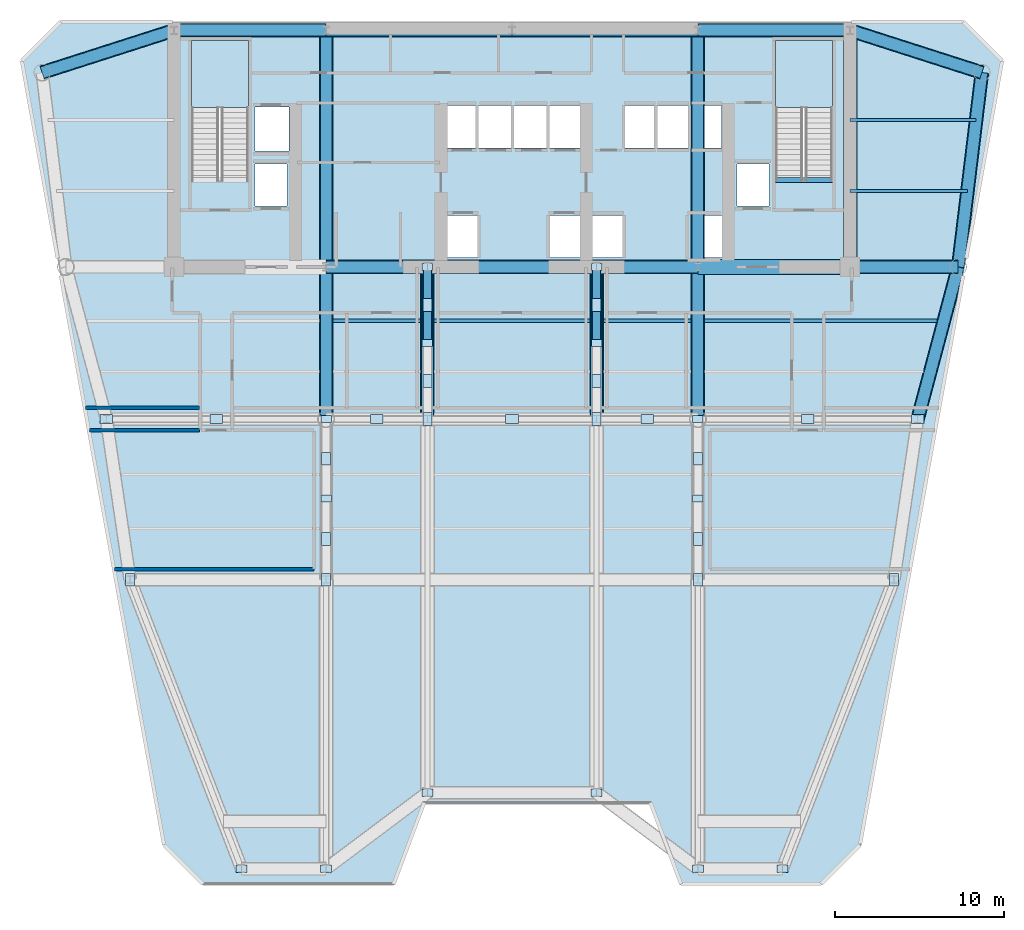
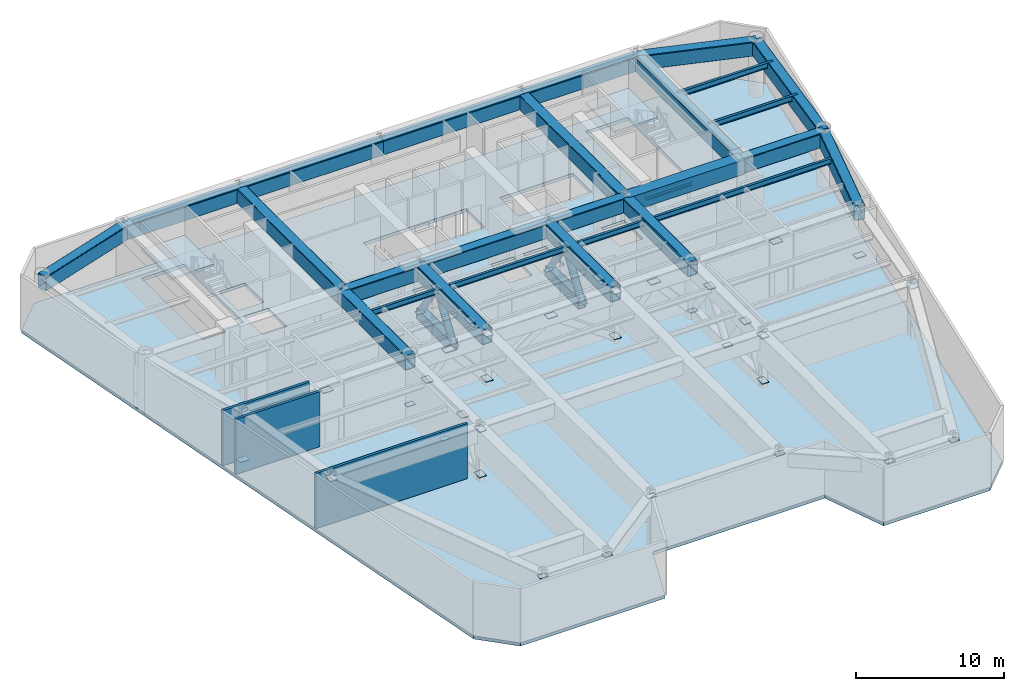
# One storey, part 3 of 10: 39 plates, 27 beams, 6 members, 3 slabs, 3 walls, 2 elements without a shape of their own.
"""IFC4 building model written with IfcOpenShell, lengths in metres."""

import ifcopenshell
import ifcopenshell.guid

model = None  # the IFC model being written
_history = None  # IfcOwnerHistory: only IFC2X3 demands one
_inside = {}  # id of a spatial element -> (the spatial element, [elements in it])
_under = {}  # id of a project, library or spatial element -> (it, [spatial elements below it])
_declared = {}  # id of a project -> (the project, [libraries it declares])
_typed = {}  # id of a type object -> (the type object, [elements of that type])
_made_of = {}  # id of a material, layer set ... -> (it, [elements and type objects made of it])


def new_model(schema):
    """Start an empty IFC model of exactly this schema.

    Asked for "IFC4X3", IfcOpenShell would pick the latest addendum, in which some entities
    have other attributes; the version numbers below select the first issue.
    IFC2X3 requires an IfcOwnerHistory on every rooted entity: one is made here for all.
    """
    global model, _history
    if schema == "IFC4X3":
        model = ifcopenshell.file(schema_version=(4, 3, 0, 0))
    else:
        model = ifcopenshell.file(schema=schema)
    _inside.clear()
    _under.clear()
    _declared.clear()
    _typed.clear()
    _made_of.clear()
    _history = None
    if model.schema == "IFC2X3":
        org = make("IfcOrganization", Name="unknown")
        user = make(
            "IfcPersonAndOrganization",
            ThePerson=make("IfcPerson", FamilyName="unknown"),
            TheOrganization=org,
        )
        app = make(
            "IfcApplication",
            ApplicationDeveloper=org,
            Version="unknown",
            ApplicationFullName="unknown",
            ApplicationIdentifier="unknown",
        )
        _history = make(
            "IfcOwnerHistory",
            OwningUser=user,
            OwningApplication=app,
            ChangeAction="ADDED",
            CreationDate=0,
        )
    return model


def make(cls, **values):
    """One entity of the class cls with the attributes given. An attribute that is None is left unset."""
    return model.create_entity(
        cls, **{name: value for name, value in values.items() if value is not None}
    )


def rooted(cls, **values):
    """An entity with a GlobalId (a new one), such as an element, a storey or a relation."""
    return make(cls, GlobalId=ifcopenshell.guid.new(), OwnerHistory=_history, **values)


def si_unit(unit_type, name, prefix=None):
    """IfcSIUnit, for example si_unit("LENGTHUNIT", "METRE", prefix="MILLI")."""
    return make("IfcSIUnit", UnitType=unit_type, Prefix=prefix, Name=name)


def assignment(units):
    """IfcUnitAssignment: the units of a project."""
    return None if units is None else make("IfcUnitAssignment", Units=units)


def point(xyz):
    """IfcCartesianPoint."""
    return None if xyz is None else make("IfcCartesianPoint", Coordinates=xyz)


def direction(xyz):
    """IfcDirection."""
    return None if xyz is None else make("IfcDirection", DirectionRatios=xyz)


def frame(location, z_axis=None, x_axis=None):
    """IfcAxis2Placement3D, a coordinate frame: its origin and axes. An axis left out is left unset."""
    return make(
        "IfcAxis2Placement3D",
        Location=point(location),
        Axis=direction(z_axis),
        RefDirection=direction(x_axis),
    )


def frame_2d(location, x_axis=None):
    """IfcAxis2Placement2D, a coordinate frame in the plane: its origin and x axis."""
    return make(
        "IfcAxis2Placement2D", Location=point(location), RefDirection=direction(x_axis)
    )


def origin():
    """The frame at (0, 0, 0) with its axes left unset."""
    return frame((0.0, 0.0, 0.0))


def origin_2d():
    """The frame at (0, 0) in the plane with its x axis left unset."""
    return frame_2d((0.0, 0.0))


def place(relative_to, where):
    """IfcLocalPlacement: puts the frame where relative to a parent placement (None: the world)."""
    return make(
        "IfcLocalPlacement", PlacementRelTo=relative_to, RelativePlacement=where
    )


def context(
    kind, dimensions, precision=None, world=None, true_north=None, identifier=None
):
    """IfcGeometricRepresentationContext, for example the 3D "Model" context."""
    return make(
        "IfcGeometricRepresentationContext",
        ContextIdentifier=identifier,
        ContextType=kind,
        CoordinateSpaceDimension=dimensions,
        Precision=precision,
        WorldCoordinateSystem=world,
        TrueNorth=true_north,
    )


def subcontext(parent, identifier, kind, view, scale=None):
    """IfcGeometricRepresentationSubContext, for example "Body" below "Model"."""
    return make(
        "IfcGeometricRepresentationSubContext",
        ContextIdentifier=identifier,
        ContextType=kind,
        ParentContext=parent,
        TargetScale=scale,
        TargetView=view,
    )


def project(units=None, contexts=None):
    """IfcProject with its units and contexts."""
    return rooted(
        "IfcProject",
        Name="project",
        RepresentationContexts=contexts,
        UnitsInContext=assignment(units),
    )


def spatial(cls, under=None, at=None, **own):
    """A site, building, storey or space (cls), placed at a placement, below another one or the project."""
    s = rooted(cls, ObjectPlacement=at, **own)
    if under is not None:
        _under.setdefault(under.id(), (under, []))[1].append(s)
    return s


def polyline(points):
    """IfcPolyline through the points."""
    return make("IfcPolyline", Points=[point(p) for p in points])


def profile(cls, at=None, kind="AREA", **sizes):
    """A parametric profile (cls). Its sizes go by their IFC names, for example OverallWidth=200.0."""
    return make(cls, ProfileType=kind, Position=at, **sizes)


def rectangle(**sizes):
    """IfcRectangleProfileDef."""
    return profile("IfcRectangleProfileDef", **sizes)


def hollow_rectangle(**sizes):
    """IfcRectangleHollowProfileDef."""
    return profile("IfcRectangleHollowProfileDef", **sizes)


def hollow_circle(**sizes):
    """IfcCircleHollowProfileDef."""
    return profile("IfcCircleHollowProfileDef", **sizes)


def i_section(**sizes):
    """IfcIShapeProfileDef."""
    return profile("IfcIShapeProfileDef", **sizes)


def outline(outer, holes=None, kind="AREA"):
    """IfcArbitraryClosedProfileDef: a profile drawn as a closed curve; with holes, ...WithVoids."""
    if holes is None:
        return make("IfcArbitraryClosedProfileDef", ProfileType=kind, OuterCurve=outer)
    return make(
        "IfcArbitraryProfileDefWithVoids",
        ProfileType=kind,
        OuterCurve=outer,
        InnerCurves=holes,
    )


def extrude(swept, where, along, depth):
    """IfcExtrudedAreaSolid: the profile swept, set in the frame where, extruded along a direction by depth."""
    return make(
        "IfcExtrudedAreaSolid",
        SweptArea=swept,
        Position=where,
        ExtrudedDirection=direction(along),
        Depth=depth,
    )


def shape(context_of_items, identifier, shape_type, items):
    """IfcShapeRepresentation: the items that make up one representation, for example the "Body"."""
    return make(
        "IfcShapeRepresentation",
        ContextOfItems=context_of_items,
        RepresentationIdentifier=identifier,
        RepresentationType=shape_type,
        Items=items,
    )


def source(mapping_origin, context_of_items, identifier, shape_type, items):
    """IfcRepresentationMap: a shape defined once, which mapped items show again and again."""
    return make(
        "IfcRepresentationMap",
        MappingOrigin=mapping_origin,
        MappedRepresentation=shape(context_of_items, identifier, shape_type, items),
    )


def transform(
    local_origin,
    x_axis=None,
    y_axis=None,
    z_axis=None,
    scale=None,
    scale2=None,
    scale3=None,
    uniform=True,
):
    """IfcCartesianTransformationOperator3D, or its non-uniform kind. x_axis, y_axis, z_axis: its Axis1, 2, 3."""
    if uniform:
        return make(
            "IfcCartesianTransformationOperator3D",
            Axis1=direction(x_axis),
            Axis2=direction(y_axis),
            LocalOrigin=point(local_origin),
            Scale=scale,
            Axis3=direction(z_axis),
        )
    return make(
        "IfcCartesianTransformationOperator3DnonUniform",
        Axis1=direction(x_axis),
        Axis2=direction(y_axis),
        LocalOrigin=point(local_origin),
        Scale=scale,
        Axis3=direction(z_axis),
        Scale2=scale2,
        Scale3=scale3,
    )


def mapped(mapping_source, mapping_target):
    """IfcMappedItem: shows the shape of a source again, moved by a transform."""
    return make(
        "IfcMappedItem", MappingSource=mapping_source, MappingTarget=mapping_target
    )


def material(Name=None, Category=None):
    """IfcMaterial."""
    return make("IfcMaterial", Name=Name, Category=Category)


def layer(
    of_material, thickness, ventilated=None, Name=None, Category=None, Priority=None
):
    """IfcMaterialLayer: one layer of a wall or slab, of a material (None: an air gap)."""
    return make(
        "IfcMaterialLayer",
        Material=of_material,
        LayerThickness=thickness,
        IsVentilated=ventilated,
        Name=Name,
        Category=Category,
        Priority=Priority,
    )


def layer_set(layers, Name=None):
    """IfcMaterialLayerSet."""
    return make("IfcMaterialLayerSet", MaterialLayers=layers, LayerSetName=Name)


def material_profile(
    of_material, cross_section, Name=None, Category=None, Priority=None
):
    """IfcMaterialProfile: a cross section and its material."""
    return make(
        "IfcMaterialProfile",
        Name=Name,
        Material=of_material,
        Profile=cross_section,
        Priority=Priority,
        Category=Category,
    )


def profile_set(profiles, Name=None, composite=None):
    """IfcMaterialProfileSet."""
    return make(
        "IfcMaterialProfileSet",
        Name=Name,
        MaterialProfiles=profiles,
        CompositeProfile=composite,
    )


def made_of(thing, what):
    """Note that an element or type object is made of a material, layer set ...; save() writes the relation."""
    if what is not None:
        _made_of.setdefault(what.id(), (what, []))[1].append(thing)
    return thing


def type_object(cls, material=None, **own):
    """A type object (cls), such as IfcWallType, which elements share."""
    return made_of(rooted(cls, **own), material)


def element(
    cls,
    number,
    at=None,
    inside=None,
    cuts=None,
    type_object=None,
    material=None,
    context=None,
    identifier="Body",
    shape_type=None,
    held_by="IfcProductDefinitionShape",
    body=None,
    shapes=None,
    **own,
):
    """One element of the class cls, such as IfcWall. Its Tag is "e" and its number.

    at: its placement. inside: the storey or other place that contains it. cuts: it is an
    opening in that element (IfcRelVoidsElement). A single representation is given by context,
    identifier, shape_type and body (its items); several are given by shapes. held_by: the class
    of the entity that holds the representations. save() writes the other relations.
    """
    e = rooted(cls, Tag="e%d" % number, ObjectPlacement=at, **own)
    if body is not None:
        shapes = [shape(context, identifier, shape_type, body)]
    if shapes is not None:
        e.Representation = make(held_by, Representations=shapes)
    if inside is not None:
        _inside.setdefault(inside.id(), (inside, []))[1].append(e)
    if cuts is not None:
        rooted(
            "IfcRelVoidsElement", RelatingBuildingElement=cuts, RelatedOpeningElement=e
        )
    if type_object is not None:
        _typed.setdefault(type_object.id(), (type_object, []))[1].append(e)
    return made_of(e, material)


def aggregate(whole, parts):
    """IfcRelAggregates: a whole, such as a stair, and the parts it consists of."""
    return rooted("IfcRelAggregates", RelatingObject=whole, RelatedObjects=parts)


def save(model, path):
    """Write the relations noted so far, then the file.

    IfcRelAggregates (storeys below a building ...), IfcRelContainedInSpatialStructure (elements
    in a storey), IfcRelDefinesByType, IfcRelAssociatesMaterial and IfcRelDeclares: one each for
    every whole, place, type object, material and project.
    """
    for whole, parts in _under.values():
        aggregate(whole, parts)
    for where, things in _inside.values():
        rooted(
            "IfcRelContainedInSpatialStructure",
            RelatedElements=things,
            RelatingStructure=where,
        )
    for kind, things in _typed.values():
        rooted("IfcRelDefinesByType", RelatedObjects=things, RelatingType=kind)
    for what, things in _made_of.values():
        rooted("IfcRelAssociatesMaterial", RelatedObjects=things, RelatingMaterial=what)
    for by, libraries in _declared.values():
        rooted("IfcRelDeclares", RelatingContext=by, RelatedDefinitions=libraries)
    model.write(path)


model = new_model("IFC4")

# Units and contexts
model_context = context("Model", 3, precision=1e-05, world=origin(), true_north=direction((0.0, 1.0)))
body_context = subcontext(model_context, "Body", "Model", "MODEL_VIEW")
ifc_project = project(units=[si_unit("LENGTHUNIT", "METRE"), si_unit("AREAUNIT", "SQUARE_METRE"), si_unit("VOLUMEUNIT", "CUBIC_METRE"), si_unit("PLANEANGLEUNIT", "RADIAN"), si_unit("MASSUNIT", "GRAM", prefix="KILO")], contexts=[model_context])

# Site, building, storey
site_placement = place(None, origin())
site = spatial("IfcSite", under=ifc_project, at=site_placement, CompositionType="ELEMENT")
building_placement = place(site_placement, origin())
building = spatial("IfcBuilding", under=site, at=building_placement, Name="Vaeldorn Concourse Tower", CompositionType="ELEMENT")
storey_placement = place(building_placement, frame((0.0, 0.0, 149.0)))
storey = spatial("IfcBuildingStorey", under=building, at=storey_placement, Name="L38", CompositionType="ELEMENT", Elevation=149.0)

# Beams
ifc_material_1 = material(Name="Concrete C60/75", Category="concrete")
ifc_material_profile_1 = material_profile(ifc_material_1, rectangle(XDim=0.89990234375, YDim=1.199951171875, at=origin_2d()), Name="RC 900x1200")
ifc_profile_set_1 = profile_set([ifc_material_profile_1], Name="Concrete C60/75")
beam_type_1 = type_object("IfcBeamType", Name="BM-CB-RC900", PredefinedType="BEAM", material=ifc_profile_set_1)
shared_shape_1 = source(origin(), body_context, "Body", "SweptSolid", [
    extrude(rectangle(XDim=0.89990234375, YDim=1.199951171875, at=origin_2d()), origin(), (0.0, 0.0, 1.0), 9.0),
])
beam_1_placement = place(storey_placement, frame((45.0, 36.5, 3.93994140625), z_axis=(1.0, 0.0, 0.0), x_axis=(0.0, 1.0, 0.0)))
element("IfcBeam", 1, at=beam_1_placement, inside=storey, type_object=beam_type_1, Name="Core Coupling Beam L38-2", PredefinedType="BEAM", context=body_context, shape_type="MappedRepresentation", body=[
    mapped(shared_shape_1, transform((0.0, 0.0, 0.0), scale=1.0)),
])
ifc_material_2 = material(Name="Steel S355", Category="steel")
ifc_material_profile_2 = material_profile(ifc_material_2, i_section(OverallWidth=0.300048828125, OverallDepth=0.340087890625, WebThickness=0.011962890625, FlangeThickness=0.021484375, FilletRadius=0.027099609375, at=origin_2d()), Name="HEB 340")
ifc_profile_set_2 = profile_set([ifc_material_profile_2], Name="Steel S355")
beam_type_2 = type_object("IfcBeamType", Name="BM-ST-TRIM", PredefinedType="BEAM", material=ifc_profile_set_2)
shared_shape_2 = source(origin(), body_context, "Body", "SweptSolid", [
    extrude(i_section(OverallWidth=0.300048828125, OverallDepth=0.340087890625, WebThickness=0.011962890625, FlangeThickness=0.021484375, FilletRadius=0.027099609375, at=origin_2d()), origin(), (0.0, 0.0, 1.0), 3.590087890625),
])
beam_2_placement = place(storey_placement, frame((49.47998046875, 41.639892578125, -0.429931640625), z_axis=(1.0, 0.0, 0.0), x_axis=(0.0, 1.0, 0.0)))
element("IfcBeam", 2, at=beam_2_placement, inside=storey, type_object=beam_type_2, Name="Stair Landing Trimmer Beam ST-2 L38", PredefinedType="BEAM", context=body_context, shape_type="MappedRepresentation", body=[
    mapped(shared_shape_2, transform((0.0, 0.0, 0.0), scale=1.0)),
])
ifc_material_3 = material(Name="Steel S460", Category="steel")
ifc_material_profile_3 = material_profile(ifc_material_3, hollow_rectangle(XDim=0.800048828125, YDim=1.199951171875, WallThickness=0.044921875, InnerFilletRadius=0.044921875, OuterFilletRadius=0.090087890625, at=origin_2d()), Name="RHS 1200x800x45")
ifc_profile_set_3 = profile_set([ifc_material_profile_3], Name="Steel S460")
beam_type_3 = type_object("IfcBeamType", Name="BM-TG-RHS1200", PredefinedType="BEAM", material=ifc_profile_set_3)
shared_shape_3 = source(origin(), body_context, "Body", "SweptSolid", [
    extrude(hollow_rectangle(XDim=0.800048828125, YDim=1.199951171875, WallThickness=0.044921875, InnerFilletRadius=0.044921875, OuterFilletRadius=0.090087890625, at=origin_2d()), origin(), (0.0, 0.0, 1.0), 6.0),
])
for number, where, z_axis, x_axis, name in (
    (3, (23.0, 36.5, 3.93994140625), (1.0, 0.0, 0.0), (0.0, 1.0, 0.0), "Beam BM-L38-C-FC2-C-FC3"),
    (4, (39.0, 36.5, 3.93994140625), (1.0, 0.0, 0.0), (0.0, 1.0, 0.0), "Beam BM-L38-C-FC4-C-FC5"),
):
    element("IfcBeam", number, at=place(storey_placement, frame(where, z_axis=z_axis, x_axis=x_axis)), inside=storey, type_object=beam_type_3, Name=name, PredefinedType="BEAM", context=body_context, shape_type="MappedRepresentation", body=[
        mapped(shared_shape_3, transform((0.0, 0.0, 0.0), scale=1.0)),
    ])
shared_shape_4 = source(origin(), body_context, "Body", "SweptSolid", [
    extrude(hollow_rectangle(XDim=0.800048828125, YDim=1.199951171875, WallThickness=0.044921875, InnerFilletRadius=0.044921875, OuterFilletRadius=0.090087890625, at=origin_2d()), origin(), (0.0, 0.0, 1.0), 10.0),
])
beam_3_placement = place(storey_placement, frame((29.0, 36.5, 3.93994140625), z_axis=(1.0, 0.0, 0.0), x_axis=(0.0, 1.0, 0.0)))
element("IfcBeam", 5, at=beam_3_placement, inside=storey, type_object=beam_type_3, Name="Beam BM-L38-C-FC3-C-FC4", PredefinedType="BEAM", context=body_context, shape_type="MappedRepresentation", body=[
    mapped(shared_shape_4, transform((0.0, 0.0, 0.0), scale=1.0)),
])
shared_shape_5 = source(origin(), body_context, "Body", "SweptSolid", [
    extrude(hollow_rectangle(XDim=0.800048828125, YDim=1.199951171875, WallThickness=0.044921875, InnerFilletRadius=0.044921875, OuterFilletRadius=0.090087890625, at=origin_2d()), origin(), (0.0, 0.0, 1.0), 9.0),
])
for number, where, z_axis, x_axis, name in (
    (6, (14.0, 50.5, 3.93994140625), (1.0, 0.0, 0.0), (0.0, 1.0, 0.0), "Beam BM-L38-C-HC1-C-HC2"),
    (7, (45.0, 50.5, 3.93994140625), (1.0, 0.0, 0.0), (0.0, 1.0, 0.0), "Beam BM-L38-C-HC4-C-HC5"),
    (8, (23.0, 27.5, 3.93994140625), (0.0, 1.0, 0.0), (-1.0, 0.0, 0.0), "Beam BM-L38-C-TW1-C-FC2"),
    (9, (29.0, 27.5, 3.93994140625), (0.0, 1.0, 0.0), (-1.0, 0.0, 0.0), "Beam BM-L38-C-TW2-C-FC3"),
    (10, (39.0, 27.5, 3.93994140625), (0.0, 1.0, 0.0), (-1.0, 0.0, 0.0), "Beam BM-L38-C-TW3-C-FC4"),
    (11, (45.0, 27.5, 3.93994140625), (0.0, 1.0, 0.0), (-1.0, 0.0, 0.0), "Beam BM-L38-C-TW4-C-FC5"),
):
    element("IfcBeam", number, at=place(storey_placement, frame(where, z_axis=z_axis, x_axis=x_axis)), inside=storey, type_object=beam_type_3, Name=name, PredefinedType="BEAM", context=body_context, shape_type="MappedRepresentation", body=[
        mapped(shared_shape_5, transform((0.0, 0.0, 0.0), scale=1.0)),
    ])
shared_shape_6 = source(origin(), body_context, "Body", "SweptSolid", [
    extrude(hollow_rectangle(XDim=0.800048828125, YDim=1.199951171875, WallThickness=0.044921875, InnerFilletRadius=0.044921875, OuterFilletRadius=0.090087890625, at=origin_2d()), origin(), (0.0, 0.0, 1.0), 11.0),
])
for number, where, z_axis, x_axis, name in (
    (12, (23.0, 50.5, 3.93994140625), (1.0, 0.0, 0.0), (0.0, 1.0, 0.0), "Beam BM-L38-C-HC2-C-HC3"),
    (13, (34.0, 50.5, 3.93994140625), (1.0, 0.0, 0.0), (0.0, 1.0, 0.0), "Beam BM-L38-C-HC3-C-HC4"),
):
    element("IfcBeam", number, at=place(storey_placement, frame(where, z_axis=z_axis, x_axis=x_axis)), inside=storey, type_object=beam_type_3, Name=name, PredefinedType="BEAM", context=body_context, shape_type="MappedRepresentation", body=[
        mapped(shared_shape_6, transform((0.0, 0.0, 0.0), scale=1.0)),
    ])
shared_shape_7 = source(origin(), body_context, "Body", "SweptSolid", [
    extrude(hollow_rectangle(XDim=0.800048828125, YDim=1.199951171875, WallThickness=0.044921875, InnerFilletRadius=0.044921875, OuterFilletRadius=0.090087890625, at=origin_2d()), origin(), (0.0, 0.0, 1.0), 14.0),
])
for number, where, z_axis, x_axis, name in (
    (14, (23.0, 36.5, 3.93994140625), (0.0, 1.0, 0.0), (-1.0, 0.0, 0.0), "Beam BM-L38-C-FC2-C-HC2"),
    (15, (45.0, 36.5, 3.93994140625), (0.0, 1.0, 0.0), (-1.0, 0.0, 0.0), "Beam BM-L38-C-FC5-C-HC4"),
    (16, (54.0, 36.5, 3.93994140625), (0.0, 1.0, 0.0), (-1.0, 0.0, 0.0), "Beam BM-L38-C-FC6-C-HC5"),
):
    element("IfcBeam", number, at=place(storey_placement, frame(where, z_axis=z_axis, x_axis=x_axis)), inside=storey, type_object=beam_type_3, Name=name, PredefinedType="BEAM", context=body_context, shape_type="MappedRepresentation", body=[
        mapped(shared_shape_7, transform((0.0, 0.0, 0.0), scale=1.0)),
    ])
shared_shape_8 = source(origin(), body_context, "Body", "SweptSolid", [
    extrude(hollow_rectangle(XDim=0.800048828125, YDim=1.199951171875, WallThickness=0.044921875, InnerFilletRadius=0.044921875, OuterFilletRadius=0.090087890625, at=origin_2d()), origin(), (0.0, 0.0, 1.0), 6.39990234375),
])
beam_4_placement = place(storey_placement, frame((54.0, 36.5, 3.93994140625), z_axis=(1.0, 0.0, 0.0), x_axis=(0.0, 1.0, 0.0)))
element("IfcBeam", 17, at=beam_4_placement, inside=storey, type_object=beam_type_3, Name="Beam BM-L38-C-FC6-C-NE2", PredefinedType="BEAM", context=body_context, shape_type="MappedRepresentation", body=[
    mapped(shared_shape_8, transform((0.0, 0.0, 0.0), scale=1.0)),
])
shared_shape_9 = source(origin(), body_context, "Body", "SweptSolid", [
    extrude(hollow_rectangle(XDim=0.800048828125, YDim=1.199951171875, WallThickness=0.044921875, InnerFilletRadius=0.044921875, OuterFilletRadius=0.090087890625, at=origin_2d()), origin(), (0.0, 0.0, 1.0), 8.19091796875),
])
for number, where, z_axis, x_axis, name in (
    (18, (6.199951171875, 48.0, 3.93994140625), (0.952282843383, 0.305216949396, 0.0), (-0.305216949396, 0.952282843383, 0.0), "Beam BM-L38-C-NW1-C-HC1"),
    (19, (54.0, 50.5, 3.93994140625), (0.952282843383, -0.305216949396, 0.0), (0.305216949396, 0.952282843383, 0.0), "Beam BM-L38-C-HC5-C-NE1"),
):
    element("IfcBeam", number, at=place(storey_placement, frame(where, z_axis=z_axis, x_axis=x_axis)), inside=storey, type_object=beam_type_3, Name=name, PredefinedType="BEAM", context=body_context, shape_type="MappedRepresentation", body=[
        mapped(shared_shape_9, transform((0.0, 0.0, 0.0), scale=1.0)),
    ])
shared_shape_10 = source(origin(), body_context, "Body", "SweptSolid", [
    extrude(hollow_rectangle(XDim=0.800048828125, YDim=1.199951171875, WallThickness=0.044921875, InnerFilletRadius=0.044921875, OuterFilletRadius=0.090087890625, at=origin_2d()), origin(), (0.0, 0.0, 1.0), 11.5849609375),
])
beam_5_placement = place(storey_placement, frame((61.800048828125, 48.0, 3.93994140625), z_axis=(-0.120859382899, -0.992669637677, 0.0), x_axis=(0.992669637677, -0.120859382899, 0.0)))
element("IfcBeam", 20, at=beam_5_placement, inside=storey, type_object=beam_type_3, Name="Beam BM-L38-C-NE1-C-NE2", PredefinedType="BEAM", context=body_context, shape_type="MappedRepresentation", body=[
    mapped(shared_shape_10, transform((0.0, 0.0, 0.0), scale=1.0)),
])
shared_shape_11 = source(origin(), body_context, "Body", "SweptSolid", [
    extrude(hollow_rectangle(XDim=0.800048828125, YDim=1.199951171875, WallThickness=0.044921875, InnerFilletRadius=0.044921875, OuterFilletRadius=0.090087890625, at=origin_2d()), origin(), (0.0, 0.0, 1.0), 9.314453125),
])
beam_6_placement = place(storey_placement, frame((60.39990234375, 36.5, 3.93994140625), z_axis=(-0.257652862255, -0.966237549763, 0.0), x_axis=(0.966237549763, -0.257652862255, 0.0)))
element("IfcBeam", 21, at=beam_6_placement, inside=storey, type_object=beam_type_3, Name="Beam BM-L38-C-NE2-C-FLE1", PredefinedType="BEAM", context=body_context, shape_type="MappedRepresentation", body=[
    mapped(shared_shape_11, transform((0.0, 0.0, 0.0), scale=1.0)),
])
ifc_material_profile_4 = material_profile(ifc_material_2, i_section(OverallWidth=0.18994140625, OverallDepth=0.449951171875, WebThickness=0.009521484375, FlangeThickness=0.0146484375, FilletRadius=0.02099609375, at=origin_2d()), Name="IPE 450")
ifc_profile_set_4 = profile_set([ifc_material_profile_4], Name="Steel S355")
beam_type_4 = type_object("IfcBeamType", Name="BM-JS-IPE450", PredefinedType="JOIST", material=ifc_profile_set_4)
shared_shape_12 = source(origin(), body_context, "Body", "SweptSolid", [
    extrude(i_section(OverallWidth=0.18994140625, OverallDepth=0.449951171875, WebThickness=0.009521484375, FlangeThickness=0.0146484375, FilletRadius=0.02099609375, at=origin_2d()), origin(), (0.0, 0.0, 1.0), 6.94775390625),
])
beam_7_placement = place(storey_placement, frame((54.0, 41.0, 4.31494140625), z_axis=(1.0, 0.0, 0.0), x_axis=(0.0, 1.0, 0.0)))
element("IfcBeam", 22, at=beam_7_placement, inside=storey, type_object=beam_type_4, Name="Beam JS-L38-NE-410", PredefinedType="JOIST", context=body_context, shape_type="MappedRepresentation", body=[
    mapped(shared_shape_12, transform((0.0, 0.0, 0.0), scale=1.0)),
])
shared_shape_13 = source(origin(), body_context, "Body", "SweptSolid", [
    extrude(i_section(OverallWidth=0.18994140625, OverallDepth=0.449951171875, WebThickness=0.009521484375, FlangeThickness=0.0146484375, FilletRadius=0.02099609375, at=origin_2d()), origin(), (0.0, 0.0, 1.0), 7.458984375),
])
beam_8_placement = place(storey_placement, frame((54.0, 45.199951171875, 4.31494140625), z_axis=(1.0, 0.0, 0.0), x_axis=(0.0, 1.0, 0.0)))
element("IfcBeam", 23, at=beam_8_placement, inside=storey, type_object=beam_type_4, Name="Beam JS-L38-NE-452", PredefinedType="JOIST", context=body_context, shape_type="MappedRepresentation", body=[
    mapped(shared_shape_13, transform((0.0, 0.0, 0.0), scale=1.0)),
])
shared_shape_14 = source(origin(), body_context, "Body", "SweptSolid", [
    extrude(i_section(OverallWidth=0.18994140625, OverallDepth=0.449951171875, WebThickness=0.009521484375, FlangeThickness=0.0146484375, FilletRadius=0.02099609375, at=origin_2d()), origin(), (0.0, 0.0, 1.0), 5.2001953125),
])
for number, where, z_axis, x_axis, name in (
    (24, (23.39990234375, 33.320068359375, 4.31494140625), (1.0, 0.0, 0.0), (0.0, 1.0, 0.0), "Beam JS-L38-W2-333"),
    (25, (39.39990234375, 33.320068359375, 4.31494140625), (1.0, 0.0, 0.0), (0.0, 1.0, 0.0), "Beam JS-L38-E2-333"),
):
    element("IfcBeam", number, at=place(storey_placement, frame(where, z_axis=z_axis, x_axis=x_axis)), inside=storey, type_object=beam_type_4, Name=name, PredefinedType="JOIST", context=body_context, shape_type="MappedRepresentation", body=[
        mapped(shared_shape_14, transform((0.0, 0.0, 0.0), scale=1.0)),
    ])
shared_shape_15 = source(origin(), body_context, "Body", "SweptSolid", [
    extrude(i_section(OverallWidth=0.18994140625, OverallDepth=0.449951171875, WebThickness=0.009521484375, FlangeThickness=0.0146484375, FilletRadius=0.02099609375, at=origin_2d()), origin(), (0.0, 0.0, 1.0), 9.2001953125),
])
beam_9_placement = place(storey_placement, frame((29.39990234375, 33.320068359375, 4.31494140625), z_axis=(1.0, 0.0, 0.0), x_axis=(0.0, 1.0, 0.0)))
element("IfcBeam", 26, at=beam_9_placement, inside=storey, type_object=beam_type_4, Name="Beam JS-L38-C-333", PredefinedType="JOIST", context=body_context, shape_type="MappedRepresentation", body=[
    mapped(shared_shape_15, transform((0.0, 0.0, 0.0), scale=1.0)),
])
shared_shape_16 = source(origin(), body_context, "Body", "SweptSolid", [
    extrude(i_section(OverallWidth=0.18994140625, OverallDepth=0.449951171875, WebThickness=0.009521484375, FlangeThickness=0.0146484375, FilletRadius=0.02099609375, at=origin_2d()), origin(), (0.0, 0.0, 1.0), 13.752197265625),
])
beam_10_placement = place(storey_placement, frame((45.39990234375, 33.320068359375, 4.31494140625), z_axis=(1.0, 0.0, 0.0), x_axis=(0.0, 1.0, 0.0)))
element("IfcBeam", 27, at=beam_10_placement, inside=storey, type_object=beam_type_4, Name="Beam JS-L38-E1-333", PredefinedType="JOIST", context=body_context, shape_type="MappedRepresentation", body=[
    mapped(shared_shape_16, transform((0.0, 0.0, 0.0), scale=1.0)),
])

# Members
ifc_material_profile_5 = material_profile(ifc_material_3, hollow_rectangle(XDim=0.60009765625, YDim=0.89990234375, WallThickness=0.0400390625, InnerFilletRadius=0.0400390625, OuterFilletRadius=0.080078125, at=origin_2d()), Name="RHS 900x600x40")
ifc_profile_set_5 = profile_set([ifc_material_profile_5], Name="Steel S460")
member_type_1 = type_object("IfcMemberType", Name="MB-OT-CHORD1", PredefinedType="CHORD", material=ifc_profile_set_5)
shared_shape_17 = source(origin(), body_context, "Body", "SweptSolid", [
    extrude(hollow_rectangle(XDim=0.60009765625, YDim=0.89990234375, WallThickness=0.0400390625, InnerFilletRadius=0.0400390625, OuterFilletRadius=0.080078125, at=origin_2d()), origin(), (0.0, 0.0, 1.0), 4.5),
])
for number, where, z_axis, x_axis, name in (
    (28, (29.0, 36.5, 0.449951171875), (0.0, -1.0, 0.0), (1.0, 0.0, 0.0), "Outrigger Bottom Chord L38 OT2.1"),
    (29, (39.0, 36.5, 0.449951171875), (0.0, -1.0, 0.0), (1.0, 0.0, 0.0), "Outrigger Bottom Chord L38 OT3.1"),
):
    element("IfcMember", number, at=place(storey_placement, frame(where, z_axis=z_axis, x_axis=x_axis)), inside=storey, type_object=member_type_1, Name=name, PredefinedType="CHORD", context=body_context, shape_type="MappedRepresentation", body=[
        mapped(shared_shape_17, transform((0.0, 0.0, 0.0), scale=1.0)),
    ])
ifc_material_profile_6 = material_profile(ifc_material_3, hollow_circle(Radius=0.25390625, WallThickness=0.02490234375, at=origin_2d()), Name="CHS 508x25")
ifc_profile_set_6 = profile_set([ifc_material_profile_6], Name="Steel S460")
member_type_2 = type_object("IfcMemberType", Name="MB-OT-DIAG1", PredefinedType="BRACE", material=ifc_profile_set_6)
shared_shape_18 = source(origin(), body_context, "Body", "SweptSolid", [
    extrude(hollow_circle(Radius=0.25390625, WallThickness=0.02490234375, at=origin_2d()), origin(), (0.0, 0.0, 1.0), 4.1103515625),
])
for number, where, z_axis, x_axis, name in (
    (30, (29.0, 36.5, 0.449951171875), (0.0, -0.547386980315, 0.836879617258), (1.0, 0.0, 0.0), "Outrigger Truss Diagonal L38 OT2.1A"),
    (31, (29.0, 32.0, 0.449951171875), (0.0, 0.547386980315, 0.836879617258), (-1.0, 0.0, 0.0), "Outrigger Truss Diagonal L38 OT2.1B"),
    (32, (39.0, 36.5, 0.449951171875), (0.0, -0.547386980315, 0.836879617258), (1.0, 0.0, 0.0), "Outrigger Truss Diagonal L38 OT3.1A"),
    (33, (39.0, 32.0, 0.449951171875), (0.0, 0.547386980315, 0.836879617258), (-1.0, 0.0, 0.0), "Outrigger Truss Diagonal L38 OT3.1B"),
):
    element("IfcMember", number, at=place(storey_placement, frame(where, z_axis=z_axis, x_axis=x_axis)), inside=storey, type_object=member_type_2, Name=name, PredefinedType="BRACE", context=body_context, shape_type="MappedRepresentation", body=[
        mapped(shared_shape_18, transform((0.0, 0.0, 0.0), scale=1.0)),
    ])

# Stair, slab
ifc_material_4 = material(Name="Precast concrete C40/50", Category="concrete")
stair_type = type_object("IfcStairType", Name="STR-DOG-30x160", PredefinedType="HALF_TURN_STAIR", material=ifc_material_4)
stair_1_placement = place(storey_placement, origin())
stair_1 = element("IfcStair", 34, at=stair_1_placement, inside=storey, type_object=stair_type, Name="L38 West Core Exit Stair ST-1", PredefinedType="HALF_TURN_STAIR")
ifc_material_5 = material(Name="Concrete C40/50", Category="concrete")
ifc_layer_1 = layer(ifc_material_5, 0.199951171875)
ifc_layer_set_1 = layer_set([ifc_layer_1], Name="Concrete C40/50")
slab_type_1 = type_object("IfcSlabType", Name="SL-STAIR-LANDING", PredefinedType="LANDING", material=ifc_layer_set_1)
slab_1_placement = place(storey_placement, frame((0.0, 0.0, 2.199951171875)))
slab_1 = element("IfcSlab", 35, at=slab_1_placement, type_object=slab_type_1, Name="ST-1 landing 1", PredefinedType="LANDING", context=body_context, shape_type="SweptSolid", body=[
    extrude(outline(polyline([(18.39990234375, 45.93994140625), (18.39990234375, 49.89990234375), (15.050048828125, 49.89990234375), (15.050048828125, 45.93994140625), (18.39990234375, 45.93994140625)])), origin(), (0.0, 0.0, 1.0), 0.199951171875),
])
aggregate(stair_1, [slab_1])

stair_2_placement = place(storey_placement, origin())
stair_2 = element("IfcStair", 36, at=stair_2_placement, inside=storey, type_object=stair_type, Name="L38 East Core Exit Stair ST-2", PredefinedType="HALF_TURN_STAIR")
slab_2_placement = place(storey_placement, frame((0.0, 0.0, 2.199951171875)))
slab_2 = element("IfcSlab", 37, at=slab_2_placement, type_object=slab_type_1, Name="ST-2 landing 1", PredefinedType="LANDING", context=body_context, shape_type="SweptSolid", body=[
    extrude(outline(polyline([(52.949951171875, 45.93994140625), (52.949951171875, 49.89990234375), (49.60009765625, 49.89990234375), (49.60009765625, 45.93994140625), (52.949951171875, 45.93994140625)])), origin(), (0.0, 0.0, 1.0), 0.199951171875),
])
aggregate(stair_2, [slab_2])

# Slab
ifc_layer_2 = layer(ifc_material_5, 0.260009765625)
ifc_layer_set_2 = layer_set([ifc_layer_2], Name="Concrete C40/50")
slab_type_2 = type_object("IfcSlabType", Name="SL-TRN-260", PredefinedType="FLOOR", material=ifc_layer_set_2)
slab_3_placement = place(storey_placement, frame((0.0, 0.0, -0.260009765625)))
element("IfcSlab", 38, at=slab_3_placement, inside=storey, type_object=slab_type_2, Name="Structural Floor Slab L38", PredefinedType="FLOOR", context=body_context, shape_type="SweptSolid", body=[
    extrude(outline(polyline([(15.715087890625, 0.0), (27.0, 0.0), (28.800048828125, 4.800048828125), (42.199951171875, 4.800048828125), (44.0, 0.0), (52.284912109375, 0.0), (54.5849609375, 2.300048828125), (63.0, 48.699951171875), (60.699951171875, 51.0), (7.300048828125, 51.0), (5.0, 48.699951171875), (13.4150390625, 2.300048828125), (15.715087890625, 0.0)]), holes=[polyline([(18.39990234375, 42.0), (18.39990234375, 49.89990234375), (15.050048828125, 49.89990234375), (15.050048828125, 41.60009765625), (16.800048828125, 41.60009765625), (16.800048828125, 42.0), (18.39990234375, 42.0)]), polyline([(52.949951171875, 42.0), (52.949951171875, 49.89990234375), (49.60009765625, 49.89990234375), (49.60009765625, 41.60009765625), (51.35009765625, 41.60009765625), (51.35009765625, 42.0), (52.949951171875, 42.0)]), polyline([(30.14990234375, 37.050048828125), (31.949951171875, 37.050048828125), (31.949951171875, 39.550048828125), (30.14990234375, 39.550048828125), (30.14990234375, 37.050048828125)]), polyline([(36.25, 37.050048828125), (38.050048828125, 37.050048828125), (38.050048828125, 39.550048828125), (36.25, 39.550048828125), (36.25, 37.050048828125)]), polyline([(30.10009765625, 43.550048828125), (38.10009765625, 43.550048828125), (38.10009765625, 46.050048828125), (30.10009765625, 46.050048828125), (30.10009765625, 43.550048828125)]), polyline([(38.75, 37.050048828125), (40.550048828125, 37.050048828125), (40.550048828125, 39.550048828125), (38.75, 39.550048828125), (38.75, 37.050048828125)]), polyline([(44.85009765625, 37.050048828125), (46.64990234375, 37.050048828125), (46.64990234375, 39.550048828125), (44.85009765625, 39.550048828125), (44.85009765625, 37.050048828125)]), polyline([(40.699951171875, 43.550048828125), (46.39990234375, 43.550048828125), (46.39990234375, 46.050048828125), (40.699951171875, 46.050048828125), (40.699951171875, 43.550048828125)]), polyline([(18.800048828125, 43.35009765625), (20.800048828125, 43.35009765625), (20.800048828125, 45.949951171875), (18.800048828125, 45.949951171875), (18.800048828125, 43.35009765625)]), polyline([(18.800048828125, 40.10009765625), (20.699951171875, 40.10009765625), (20.699951171875, 42.60009765625), (18.800048828125, 42.60009765625), (18.800048828125, 40.10009765625)]), polyline([(47.300048828125, 40.10009765625), (49.199951171875, 40.10009765625), (49.199951171875, 42.60009765625), (47.300048828125, 42.60009765625), (47.300048828125, 40.10009765625)])]), origin(), (0.0, 0.0, 1.0), 0.260009765625),
])

# Plates
ifc_layer_3 = layer(ifc_material_3, 0.0400390625)
ifc_layer_set_3 = layer_set([ifc_layer_3], Name="Steel S460")
plate_type_1 = type_object("IfcPlateType", Name="PL-GUSSET-ON1", PredefinedType="USERDEFINED", material=ifc_layer_set_3)
shared_shape_19 = source(origin(), body_context, "Body", "SweptSolid", [
    extrude(rectangle(XDim=0.75, YDim=0.550048828125, at=origin_2d()), origin(), (0.0, 0.0, 1.0), 0.0400390625),
])
for number, where, z_axis, x_axis, name in (
    (39, (23.0, 25.14990234375, 3.869873046875), (0.0, 0.0, 1.0), (0.0, 1.0, 0.0), "Outrigger Node Gusset ON1-L38.1.1"),
    (40, (23.0, 20.39990234375, 3.869873046875), (0.0, 0.0, 1.0), (0.0, 1.0, 0.0), "Outrigger Node Gusset ON1-L38.1.2"),
    (41, (29.0, 34.25, 3.869873046875), (0.0, 0.0, 1.0), (0.0, 1.0, 0.0), "Outrigger Node Gusset ON1-L38.2.1"),
    (42, (29.0, 29.75, 3.869873046875), (0.0, 0.0, 1.0), (0.0, 1.0, 0.0), "Outrigger Node Gusset ON1-L38.2.2"),
    (43, (39.0, 34.25, 3.869873046875), (0.0, 0.0, 1.0), (0.0, 1.0, 0.0), "Outrigger Node Gusset ON1-L38.3.1"),
    (44, (39.0, 29.75, 3.869873046875), (0.0, 0.0, 1.0), (0.0, 1.0, 0.0), "Outrigger Node Gusset ON1-L38.3.2"),
    (45, (45.0, 25.14990234375, 3.869873046875), (0.0, 0.0, 1.0), (0.0, 1.0, 0.0), "Outrigger Node Gusset ON1-L38.4.1"),
    (46, (45.0, 20.39990234375, 3.869873046875), (0.0, 0.0, 1.0), (0.0, 1.0, 0.0), "Outrigger Node Gusset ON1-L38.4.2"),
    (47, (23.0, 18.0, 0.429931640625), (0.0, 0.0, 1.0), (0.0, 1.0, 0.0), "Structural Brace Connection Gusset L38-01"),
    (48, (29.0, 27.5, 0.429931640625), (0.0, 0.0, 1.0), (0.0, 1.0, 0.0), "Structural Brace Connection Gusset L38-02"),
    (49, (39.0, 27.5, 0.429931640625), (0.0, 0.0, 1.0), (0.0, 1.0, 0.0), "Structural Brace Connection Gusset L38-03"),
    (50, (45.0, 18.0, 0.429931640625), (0.0, 0.0, 1.0), (0.0, 1.0, 0.0), "Structural Brace Connection Gusset L38-04"),
    (51, (10.0, 27.5, 0.429931640625), (0.0, 0.0, 1.0), (1.0, 0.0, 0.0), "Structural Brace Connection Gusset L38-05"),
    (52, (16.5, 27.5, 3.869873046875), (0.0, 0.0, 1.0), (1.0, 0.0, 0.0), "Structural Brace Connection Gusset L38-06"),
    (53, (26.0, 27.5, 3.869873046875), (0.0, 0.0, 1.0), (1.0, 0.0, 0.0), "Structural Brace Connection Gusset L38-07"),
    (54, (34.0, 27.5, 3.869873046875), (0.0, 0.0, 1.0), (1.0, 0.0, 0.0), "Structural Brace Connection Gusset L38-08"),
    (55, (42.0, 27.5, 3.869873046875), (0.0, 0.0, 1.0), (1.0, 0.0, 0.0), "Structural Brace Connection Gusset L38-09"),
    (56, (51.5, 27.5, 3.869873046875), (0.0, 0.0, 1.0), (1.0, 0.0, 0.0), "Structural Brace Connection Gusset L38-10"),
    (57, (58.0, 27.5, 0.429931640625), (0.0, 0.0, 1.0), (1.0, 0.0, 0.0), "Structural Brace Connection Gusset L38-11"),
    (58, (11.39990234375, 18.0, 4.169921875), (0.0, 0.0, 1.0), (0.0, 1.0, 0.0), "Structural Brace Connection Gusset L38-12"),
    (59, (23.0, 18.0, 4.169921875), (0.0, 0.0, 1.0), (0.0, 1.0, 0.0), "Structural Brace Connection Gusset L38-13"),
    (60, (29.0, 27.5, 4.169921875), (0.0, 0.0, 1.0), (0.0, 1.0, 0.0), "Structural Brace Connection Gusset L38-14"),
    (61, (39.0, 27.5, 4.169921875), (0.0, 0.0, 1.0), (0.0, 1.0, 0.0), "Structural Brace Connection Gusset L38-15"),
    (62, (45.0, 18.0, 4.169921875), (0.0, 0.0, 1.0), (0.0, 1.0, 0.0), "Structural Brace Connection Gusset L38-16"),
    (63, (56.60009765625, 18.0, 4.169921875), (0.0, 0.0, 1.0), (0.0, 1.0, 0.0), "Structural Brace Connection Gusset L38-17"),
):
    element("IfcPlate", number, at=place(storey_placement, frame(where, z_axis=z_axis, x_axis=x_axis)), inside=storey, type_object=plate_type_1, Name=name, ObjectType="GUSSET PLATE", PredefinedType="USERDEFINED", context=body_context, shape_type="MappedRepresentation", body=[
        mapped(shared_shape_19, transform((0.0, 0.0, 0.0), scale=1.0)),
    ])
ifc_layer_4 = layer(ifc_material_3, 0.02490234375)
ifc_layer_set_4 = layer_set([ifc_layer_4], Name="Steel S460")
plate_type_2 = type_object("IfcPlateType", Name="PL-ENDCAP-EC1", PredefinedType="SHEET", material=ifc_layer_set_4)
shared_shape_20 = source(origin(), body_context, "Body", "SweptSolid", [
    extrude(rectangle(XDim=0.6201171875, YDim=0.419921875, at=origin_2d()), origin(), (0.0, 0.0, 1.0), 0.02490234375),
])
for number, where, z_axis, x_axis, name in (
    (64, (23.0, 27.5, 0.4375), (0.0, 0.0, 1.0), (1.0, 0.0, 0.0), "Hollow Section End Cap Plate EC1-L38.1.1"),
    (65, (23.0, 22.800048828125, 0.4375), (0.0, 0.0, 1.0), (1.0, 0.0, 0.0), "Hollow Section End Cap Plate EC1-L38.1.2"),
    (66, (29.0, 36.5, 0.4375), (0.0, 0.0, 1.0), (1.0, 0.0, 0.0), "Hollow Section End Cap Plate EC1-L38.2.1"),
    (67, (29.0, 32.0, 0.4375), (0.0, 0.0, 1.0), (1.0, 0.0, 0.0), "Hollow Section End Cap Plate EC1-L38.2.2"),
    (68, (39.0, 36.5, 0.4375), (0.0, 0.0, 1.0), (1.0, 0.0, 0.0), "Hollow Section End Cap Plate EC1-L38.3.1"),
    (69, (39.0, 32.0, 0.4375), (0.0, 0.0, 1.0), (1.0, 0.0, 0.0), "Hollow Section End Cap Plate EC1-L38.3.2"),
    (70, (45.0, 27.5, 0.4375), (0.0, 0.0, 1.0), (1.0, 0.0, 0.0), "Hollow Section End Cap Plate EC1-L38.4.1"),
    (71, (45.0, 22.800048828125, 0.4375), (0.0, 0.0, 1.0), (1.0, 0.0, 0.0), "Hollow Section End Cap Plate EC1-L38.4.2"),
):
    element("IfcPlate", number, at=place(storey_placement, frame(where, z_axis=z_axis, x_axis=x_axis)), inside=storey, type_object=plate_type_2, Name=name, PredefinedType="SHEET", context=body_context, shape_type="MappedRepresentation", body=[
        mapped(shared_shape_20, transform((0.0, 0.0, 0.0), scale=1.0)),
    ])
ifc_layer_5 = layer(ifc_material_3, 0.034912109375)
ifc_layer_set_5 = layer_set([ifc_layer_5], Name="Steel S460")
plate_type_3 = type_object("IfcPlateType", Name="PL-GUSSET-KN1", PredefinedType="USERDEFINED", material=ifc_layer_set_5)
shared_shape_21 = source(origin(), body_context, "Body", "SweptSolid", [
    extrude(rectangle(XDim=0.64990234375, YDim=0.449951171875, at=origin_2d()), origin(), (0.0, 0.0, 1.0), 0.034912109375),
])
for number, where, z_axis, x_axis, name in (
    (72, (18.0, 0.89990234375, 4.17236328125), (0.0, 0.0, 1.0), (1.0, 0.0, 0.0), "Pleat Kink Gusset Plate KN1-L38.1"),
    (73, (23.0, 0.89990234375, 4.17236328125), (0.0, 0.0, 1.0), (1.0, 0.0, 0.0), "Pleat Kink Gusset Plate KN1-L38.2"),
    (74, (29.0, 5.39990234375, 4.17236328125), (0.0, 0.0, 1.0), (1.0, 0.0, 0.0), "Pleat Kink Gusset Plate KN1-L38.3"),
    (75, (39.0, 5.39990234375, 4.17236328125), (0.0, 0.0, 1.0), (1.0, 0.0, 0.0), "Pleat Kink Gusset Plate KN1-L38.4"),
    (76, (45.0, 0.89990234375, 4.17236328125), (0.0, 0.0, 1.0), (1.0, 0.0, 0.0), "Pleat Kink Gusset Plate KN1-L38.5"),
    (77, (50.0, 0.89990234375, 4.17236328125), (0.0, 0.0, 1.0), (1.0, 0.0, 0.0), "Pleat Kink Gusset Plate KN1-L38.6"),
):
    element("IfcPlate", number, at=place(storey_placement, frame(where, z_axis=z_axis, x_axis=x_axis)), inside=storey, type_object=plate_type_3, Name=name, ObjectType="GUSSET PLATE", PredefinedType="USERDEFINED", context=body_context, shape_type="MappedRepresentation", body=[
        mapped(shared_shape_21, transform((0.0, 0.0, 0.0), scale=1.0)),
    ])

# Walls
ifc_material_6 = material(Name="Concrete C50/60", Category="concrete")
ifc_layer_6 = layer(ifc_material_6, 0.199951171875)
ifc_layer_set_6 = layer_set([ifc_layer_6], Name="Concrete C50/60")
wall_type = type_object("IfcWallType", Name="WL-SHAFT-200", PredefinedType="SOLIDWALL", material=ifc_layer_set_6)
wall_1_placement = place(storey_placement, frame((8.76513671875, 28.159912109375, 0.0), z_axis=(0.0, 0.0, 1.0), x_axis=(1.0, 0.0, 0.0)))
element("IfcWall", 78, at=wall_1_placement, inside=storey, type_object=wall_type, Name="Interior Wall PW-L38-BTN1", PredefinedType="SOLIDWALL", context=body_context, shape_type="SweptSolid", body=[
    extrude(rectangle(XDim=6.7548828125, YDim=0.199951171875, at=frame_2d((3.37744140625, 0.0))), origin(), (0.0, 0.0, 1.0), 4.5400390625),
])
wall_2_placement = place(storey_placement, frame((9.00439453125, 26.840087890625, 0.0), z_axis=(0.0, 0.0, 1.0), x_axis=(1.0, 0.0, 0.0)))
element("IfcWall", 79, at=wall_2_placement, inside=storey, type_object=wall_type, Name="Interior Wall PW-L38-BTSW1", PredefinedType="SOLIDWALL", context=body_context, shape_type="SweptSolid", body=[
    extrude(rectangle(XDim=6.515625, YDim=0.199951171875, at=frame_2d((3.2578125, 0.0))), origin(), (0.0, 0.0, 1.0), 4.5400390625),
])
wall_3_placement = place(storey_placement, frame((10.4951171875, 18.6201171875, 0.0), z_axis=(0.0, 0.0, 1.0), x_axis=(1.0, 0.0, 0.0)))
element("IfcWall", 80, at=wall_3_placement, inside=storey, type_object=wall_type, Name="Interior Wall PW-L38-S18W", PredefinedType="SOLIDWALL", context=body_context, shape_type="SweptSolid", body=[
    extrude(rectangle(XDim=11.804931640625, YDim=0.199951171875, at=frame_2d((5.90234375, 0.0))), origin(), (0.0, 0.0, 1.0), 4.5400390625),
])

save(model, "model.ifc")
